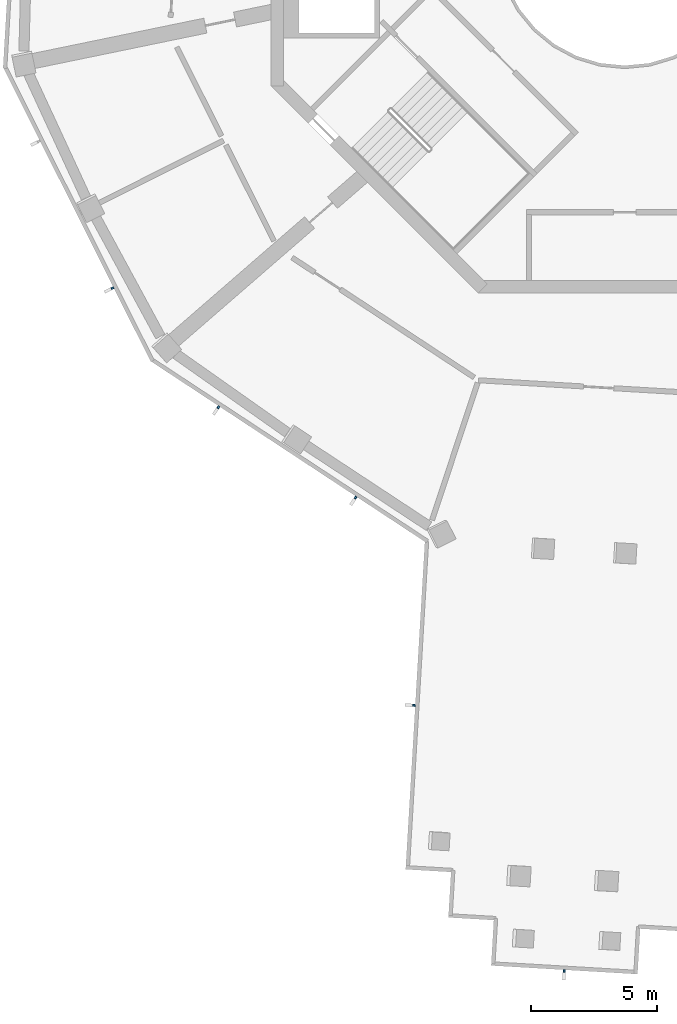
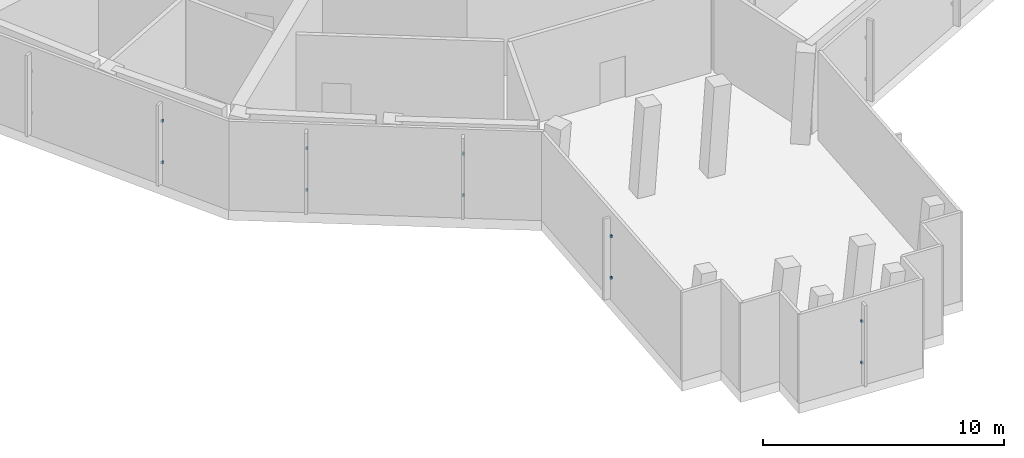
# One storey, part 5 of 16: 10 discrete accessories.
"""IFC4 building model written with IfcOpenShell, lengths in metres."""

import ifcopenshell
import ifcopenshell.guid

model = None  # the IFC model being written
_history = None  # IfcOwnerHistory: only IFC2X3 demands one
_inside = {}  # id of a spatial element -> (the spatial element, [elements in it])
_under = {}  # id of a project, library or spatial element -> (it, [spatial elements below it])
_declared = {}  # id of a project -> (the project, [libraries it declares])
_typed = {}  # id of a type object -> (the type object, [elements of that type])
_made_of = {}  # id of a material, layer set ... -> (it, [elements and type objects made of it])


def new_model(schema):
    """Start an empty IFC model of exactly this schema.

    Asked for "IFC4X3", IfcOpenShell would pick the latest addendum, in which some entities
    have other attributes; the version numbers below select the first issue.
    IFC2X3 requires an IfcOwnerHistory on every rooted entity: one is made here for all.
    """
    global model, _history
    if schema == "IFC4X3":
        model = ifcopenshell.file(schema_version=(4, 3, 0, 0))
    else:
        model = ifcopenshell.file(schema=schema)
    _inside.clear()
    _under.clear()
    _declared.clear()
    _typed.clear()
    _made_of.clear()
    _history = None
    if model.schema == "IFC2X3":
        org = make("IfcOrganization", Name="unknown")
        user = make(
            "IfcPersonAndOrganization",
            ThePerson=make("IfcPerson", FamilyName="unknown"),
            TheOrganization=org,
        )
        app = make(
            "IfcApplication",
            ApplicationDeveloper=org,
            Version="unknown",
            ApplicationFullName="unknown",
            ApplicationIdentifier="unknown",
        )
        _history = make(
            "IfcOwnerHistory",
            OwningUser=user,
            OwningApplication=app,
            ChangeAction="ADDED",
            CreationDate=0,
        )
    return model


def make(cls, **values):
    """One entity of the class cls with the attributes given. An attribute that is None is left unset."""
    return model.create_entity(
        cls, **{name: value for name, value in values.items() if value is not None}
    )


def rooted(cls, **values):
    """An entity with a GlobalId (a new one), such as an element, a storey or a relation."""
    return make(cls, GlobalId=ifcopenshell.guid.new(), OwnerHistory=_history, **values)


def si_unit(unit_type, name, prefix=None):
    """IfcSIUnit, for example si_unit("LENGTHUNIT", "METRE", prefix="MILLI")."""
    return make("IfcSIUnit", UnitType=unit_type, Prefix=prefix, Name=name)


def assignment(units):
    """IfcUnitAssignment: the units of a project."""
    return None if units is None else make("IfcUnitAssignment", Units=units)


def point(xyz):
    """IfcCartesianPoint."""
    return None if xyz is None else make("IfcCartesianPoint", Coordinates=xyz)


def direction(xyz):
    """IfcDirection."""
    return None if xyz is None else make("IfcDirection", DirectionRatios=xyz)


def frame(location, z_axis=None, x_axis=None):
    """IfcAxis2Placement3D, a coordinate frame: its origin and axes. An axis left out is left unset."""
    return make(
        "IfcAxis2Placement3D",
        Location=point(location),
        Axis=direction(z_axis),
        RefDirection=direction(x_axis),
    )


def frame_2d(location, x_axis=None):
    """IfcAxis2Placement2D, a coordinate frame in the plane: its origin and x axis."""
    return make(
        "IfcAxis2Placement2D", Location=point(location), RefDirection=direction(x_axis)
    )


def origin():
    """The frame at (0, 0, 0) with its axes left unset."""
    return frame((0.0, 0.0, 0.0))


def origin_2d():
    """The frame at (0, 0) in the plane with its x axis left unset."""
    return frame_2d((0.0, 0.0))


def place(relative_to, where):
    """IfcLocalPlacement: puts the frame where relative to a parent placement (None: the world)."""
    return make(
        "IfcLocalPlacement", PlacementRelTo=relative_to, RelativePlacement=where
    )


def context(
    kind, dimensions, precision=None, world=None, true_north=None, identifier=None
):
    """IfcGeometricRepresentationContext, for example the 3D "Model" context."""
    return make(
        "IfcGeometricRepresentationContext",
        ContextIdentifier=identifier,
        ContextType=kind,
        CoordinateSpaceDimension=dimensions,
        Precision=precision,
        WorldCoordinateSystem=world,
        TrueNorth=true_north,
    )


def subcontext(parent, identifier, kind, view, scale=None):
    """IfcGeometricRepresentationSubContext, for example "Body" below "Model"."""
    return make(
        "IfcGeometricRepresentationSubContext",
        ContextIdentifier=identifier,
        ContextType=kind,
        ParentContext=parent,
        TargetScale=scale,
        TargetView=view,
    )


def project(units=None, contexts=None):
    """IfcProject with its units and contexts."""
    return rooted(
        "IfcProject",
        Name="project",
        RepresentationContexts=contexts,
        UnitsInContext=assignment(units),
    )


def spatial(cls, under=None, at=None, **own):
    """A site, building, storey or space (cls), placed at a placement, below another one or the project."""
    s = rooted(cls, ObjectPlacement=at, **own)
    if under is not None:
        _under.setdefault(under.id(), (under, []))[1].append(s)
    return s


def profile(cls, at=None, kind="AREA", **sizes):
    """A parametric profile (cls). Its sizes go by their IFC names, for example OverallWidth=200.0."""
    return make(cls, ProfileType=kind, Position=at, **sizes)


def rectangle(**sizes):
    """IfcRectangleProfileDef."""
    return profile("IfcRectangleProfileDef", **sizes)


def extrude(swept, where, along, depth):
    """IfcExtrudedAreaSolid: the profile swept, set in the frame where, extruded along a direction by depth."""
    return make(
        "IfcExtrudedAreaSolid",
        SweptArea=swept,
        Position=where,
        ExtrudedDirection=direction(along),
        Depth=depth,
    )


def shape(context_of_items, identifier, shape_type, items):
    """IfcShapeRepresentation: the items that make up one representation, for example the "Body"."""
    return make(
        "IfcShapeRepresentation",
        ContextOfItems=context_of_items,
        RepresentationIdentifier=identifier,
        RepresentationType=shape_type,
        Items=items,
    )


def made_of(thing, what):
    """Note that an element or type object is made of a material, layer set ...; save() writes the relation."""
    if what is not None:
        _made_of.setdefault(what.id(), (what, []))[1].append(thing)
    return thing


def element(
    cls,
    number,
    at=None,
    inside=None,
    cuts=None,
    type_object=None,
    material=None,
    context=None,
    identifier="Body",
    shape_type=None,
    held_by="IfcProductDefinitionShape",
    body=None,
    shapes=None,
    **own,
):
    """One element of the class cls, such as IfcWall. Its Tag is "e" and its number.

    at: its placement. inside: the storey or other place that contains it. cuts: it is an
    opening in that element (IfcRelVoidsElement). A single representation is given by context,
    identifier, shape_type and body (its items); several are given by shapes. held_by: the class
    of the entity that holds the representations. save() writes the other relations.
    """
    e = rooted(cls, Tag="e%d" % number, ObjectPlacement=at, **own)
    if body is not None:
        shapes = [shape(context, identifier, shape_type, body)]
    if shapes is not None:
        e.Representation = make(held_by, Representations=shapes)
    if inside is not None:
        _inside.setdefault(inside.id(), (inside, []))[1].append(e)
    if cuts is not None:
        rooted(
            "IfcRelVoidsElement", RelatingBuildingElement=cuts, RelatedOpeningElement=e
        )
    if type_object is not None:
        _typed.setdefault(type_object.id(), (type_object, []))[1].append(e)
    return made_of(e, material)


def aggregate(whole, parts):
    """IfcRelAggregates: a whole, such as a stair, and the parts it consists of."""
    return rooted("IfcRelAggregates", RelatingObject=whole, RelatedObjects=parts)


def save(model, path):
    """Write the relations noted so far, then the file.

    IfcRelAggregates (storeys below a building ...), IfcRelContainedInSpatialStructure (elements
    in a storey), IfcRelDefinesByType, IfcRelAssociatesMaterial and IfcRelDeclares: one each for
    every whole, place, type object, material and project.
    """
    for whole, parts in _under.values():
        aggregate(whole, parts)
    for where, things in _inside.values():
        rooted(
            "IfcRelContainedInSpatialStructure",
            RelatedElements=things,
            RelatingStructure=where,
        )
    for kind, things in _typed.values():
        rooted("IfcRelDefinesByType", RelatedObjects=things, RelatingType=kind)
    for what, things in _made_of.values():
        rooted("IfcRelAssociatesMaterial", RelatedObjects=things, RelatingMaterial=what)
    for by, libraries in _declared.values():
        rooted("IfcRelDeclares", RelatingContext=by, RelatedDefinitions=libraries)
    model.write(path)


model = new_model("IFC4")

# Units and contexts
model_context = context("Model", 3, precision=1e-05, world=origin(), true_north=direction((0.0, 1.0)))
body_context = subcontext(model_context, "Body", "Model", "MODEL_VIEW")
ifc_project = project(units=[si_unit("LENGTHUNIT", "METRE"), si_unit("AREAUNIT", "SQUARE_METRE"), si_unit("VOLUMEUNIT", "CUBIC_METRE"), si_unit("PLANEANGLEUNIT", "RADIAN"), si_unit("MASSUNIT", "GRAM", prefix="KILO")], contexts=[model_context])

# Site, building, storey
site_placement = place(None, origin())
site = spatial("IfcSite", under=ifc_project, at=site_placement, CompositionType="ELEMENT")
building_placement = place(site_placement, origin())
building = spatial("IfcBuilding", under=site, at=building_placement, Name="Verdalira Terraces Hotel", CompositionType="ELEMENT")
storey_placement = place(building_placement, frame((0.0, 0.0, 263.0)))
storey = spatial("IfcBuildingStorey", under=building, at=storey_placement, Name="L65", CompositionType="ELEMENT", Elevation=263.0)

# Discrete accessories
for number, where, z_axis, x_axis, name in (
    (1, (-20.270508, -13.804443, 1.139893), (0.0, 0.0, 1.0), (0.448383216, -0.893841424, 0.0), "Fin bracket"),
    (2, (-20.270508, -13.804443, 3.23999), (0.0, 0.0, 1.0), (0.448383216, -0.893841424, 0.0), "Fin bracket"),
    (3, (-16.081543, -18.515869, 1.139893), (0.0, 0.0, 1.0), (0.835231968, -0.549897772, 0.0), "Fin bracket"),
    (4, (-16.081543, -18.515869, 3.23999), (0.0, 0.0, 1.0), (0.835231968, -0.549897772, 0.0), "Fin bracket"),
    (5, (-10.652588, -22.090332, 1.139893), (0.0, 0.0, 1.0), (0.835231968, -0.549897772, 0.0), "Fin bracket"),
    (6, (-10.652588, -22.090332, 3.23999), (0.0, 0.0, 1.0), (0.835231968, -0.549897772, 0.0), "Fin bracket"),
    (7, (-8.341064, -30.313965, 1.139893), (0.0, 0.0, 1.0), (-0.058609456, -0.998280988, 0.0), "Fin bracket"),
    (8, (-8.341064, -30.313965, 3.23999), (0.0, 0.0, 1.0), (-0.058609456, -0.998280988, 0.0), "Fin bracket"),
    (9, (-2.396729, -40.822998, 1.139893), (0.0, 0.0, 1.0), (0.998280988, -0.058609456, 0.0), "Fin bracket"),
    (10, (-2.396729, -40.822998, 3.23999), (0.0, 0.0, 1.0), (0.998280988, -0.058609456, 0.0), "Fin bracket"),
):
    element("IfcDiscreteAccessory", number, at=place(storey_placement, frame(where, z_axis=z_axis, x_axis=x_axis)), inside=storey, Name=name, PredefinedType="BRACKET", context=body_context, shape_type="SweptSolid", body=[
        extrude(rectangle(XDim=0.080078, YDim=0.100098, at=origin_2d()), origin(), (0.0, 0.0, 1.0), 0.120117),
    ])

save(model, "model.ifc")
